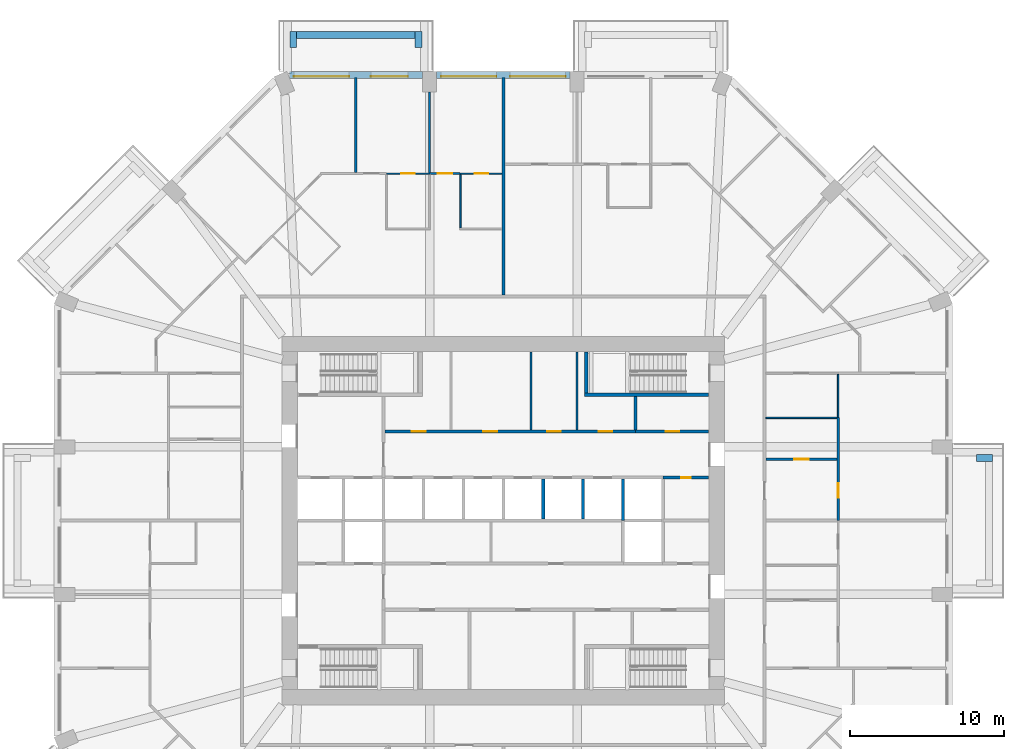
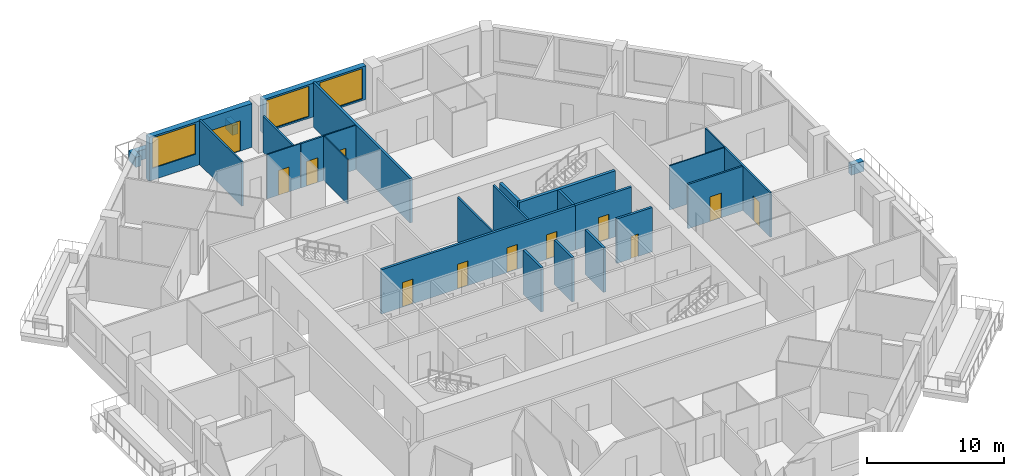
# One storey, part 9 of 13: 28 walls, 12 doors, 3 windows, 15 openings.
"""IFC4 building model written with IfcOpenShell, lengths in metres."""

import ifcopenshell
import ifcopenshell.guid

model = None  # the IFC model being written
_history = None  # IfcOwnerHistory: only IFC2X3 demands one
_inside = {}  # id of a spatial element -> (the spatial element, [elements in it])
_under = {}  # id of a project, library or spatial element -> (it, [spatial elements below it])
_declared = {}  # id of a project -> (the project, [libraries it declares])
_typed = {}  # id of a type object -> (the type object, [elements of that type])
_made_of = {}  # id of a material, layer set ... -> (it, [elements and type objects made of it])


def new_model(schema):
    """Start an empty IFC model of exactly this schema.

    Asked for "IFC4X3", IfcOpenShell would pick the latest addendum, in which some entities
    have other attributes; the version numbers below select the first issue.
    IFC2X3 requires an IfcOwnerHistory on every rooted entity: one is made here for all.
    """
    global model, _history
    if schema == "IFC4X3":
        model = ifcopenshell.file(schema_version=(4, 3, 0, 0))
    else:
        model = ifcopenshell.file(schema=schema)
    _inside.clear()
    _under.clear()
    _declared.clear()
    _typed.clear()
    _made_of.clear()
    _history = None
    if model.schema == "IFC2X3":
        org = make("IfcOrganization", Name="unknown")
        user = make(
            "IfcPersonAndOrganization",
            ThePerson=make("IfcPerson", FamilyName="unknown"),
            TheOrganization=org,
        )
        app = make(
            "IfcApplication",
            ApplicationDeveloper=org,
            Version="unknown",
            ApplicationFullName="unknown",
            ApplicationIdentifier="unknown",
        )
        _history = make(
            "IfcOwnerHistory",
            OwningUser=user,
            OwningApplication=app,
            ChangeAction="ADDED",
            CreationDate=0,
        )
    return model


def make(cls, **values):
    """One entity of the class cls with the attributes given. An attribute that is None is left unset."""
    return model.create_entity(
        cls, **{name: value for name, value in values.items() if value is not None}
    )


def rooted(cls, **values):
    """An entity with a GlobalId (a new one), such as an element, a storey or a relation."""
    return make(cls, GlobalId=ifcopenshell.guid.new(), OwnerHistory=_history, **values)


def si_unit(unit_type, name, prefix=None):
    """IfcSIUnit, for example si_unit("LENGTHUNIT", "METRE", prefix="MILLI")."""
    return make("IfcSIUnit", UnitType=unit_type, Prefix=prefix, Name=name)


def assignment(units):
    """IfcUnitAssignment: the units of a project."""
    return None if units is None else make("IfcUnitAssignment", Units=units)


def point(xyz):
    """IfcCartesianPoint."""
    return None if xyz is None else make("IfcCartesianPoint", Coordinates=xyz)


def direction(xyz):
    """IfcDirection."""
    return None if xyz is None else make("IfcDirection", DirectionRatios=xyz)


def frame(location, z_axis=None, x_axis=None):
    """IfcAxis2Placement3D, a coordinate frame: its origin and axes. An axis left out is left unset."""
    return make(
        "IfcAxis2Placement3D",
        Location=point(location),
        Axis=direction(z_axis),
        RefDirection=direction(x_axis),
    )


def frame_2d(location, x_axis=None):
    """IfcAxis2Placement2D, a coordinate frame in the plane: its origin and x axis."""
    return make(
        "IfcAxis2Placement2D", Location=point(location), RefDirection=direction(x_axis)
    )


def origin():
    """The frame at (0, 0, 0) with its axes left unset."""
    return frame((0.0, 0.0, 0.0))


def place(relative_to, where):
    """IfcLocalPlacement: puts the frame where relative to a parent placement (None: the world)."""
    return make(
        "IfcLocalPlacement", PlacementRelTo=relative_to, RelativePlacement=where
    )


def context(
    kind, dimensions, precision=None, world=None, true_north=None, identifier=None
):
    """IfcGeometricRepresentationContext, for example the 3D "Model" context."""
    return make(
        "IfcGeometricRepresentationContext",
        ContextIdentifier=identifier,
        ContextType=kind,
        CoordinateSpaceDimension=dimensions,
        Precision=precision,
        WorldCoordinateSystem=world,
        TrueNorth=true_north,
    )


def subcontext(parent, identifier, kind, view, scale=None):
    """IfcGeometricRepresentationSubContext, for example "Body" below "Model"."""
    return make(
        "IfcGeometricRepresentationSubContext",
        ContextIdentifier=identifier,
        ContextType=kind,
        ParentContext=parent,
        TargetScale=scale,
        TargetView=view,
    )


def project(units=None, contexts=None):
    """IfcProject with its units and contexts."""
    return rooted(
        "IfcProject",
        Name="project",
        RepresentationContexts=contexts,
        UnitsInContext=assignment(units),
    )


def spatial(cls, under=None, at=None, **own):
    """A site, building, storey or space (cls), placed at a placement, below another one or the project."""
    s = rooted(cls, ObjectPlacement=at, **own)
    if under is not None:
        _under.setdefault(under.id(), (under, []))[1].append(s)
    return s


def profile(cls, at=None, kind="AREA", **sizes):
    """A parametric profile (cls). Its sizes go by their IFC names, for example OverallWidth=200.0."""
    return make(cls, ProfileType=kind, Position=at, **sizes)


def rectangle(**sizes):
    """IfcRectangleProfileDef."""
    return profile("IfcRectangleProfileDef", **sizes)


def extrude(swept, where, along, depth):
    """IfcExtrudedAreaSolid: the profile swept, set in the frame where, extruded along a direction by depth."""
    return make(
        "IfcExtrudedAreaSolid",
        SweptArea=swept,
        Position=where,
        ExtrudedDirection=direction(along),
        Depth=depth,
    )


def shape(context_of_items, identifier, shape_type, items):
    """IfcShapeRepresentation: the items that make up one representation, for example the "Body"."""
    return make(
        "IfcShapeRepresentation",
        ContextOfItems=context_of_items,
        RepresentationIdentifier=identifier,
        RepresentationType=shape_type,
        Items=items,
    )


def material(Name=None, Category=None):
    """IfcMaterial."""
    return make("IfcMaterial", Name=Name, Category=Category)


def layer(
    of_material, thickness, ventilated=None, Name=None, Category=None, Priority=None
):
    """IfcMaterialLayer: one layer of a wall or slab, of a material (None: an air gap)."""
    return make(
        "IfcMaterialLayer",
        Material=of_material,
        LayerThickness=thickness,
        IsVentilated=ventilated,
        Name=Name,
        Category=Category,
        Priority=Priority,
    )


def layer_set(layers, Name=None):
    """IfcMaterialLayerSet."""
    return make("IfcMaterialLayerSet", MaterialLayers=layers, LayerSetName=Name)


def made_of(thing, what):
    """Note that an element or type object is made of a material, layer set ...; save() writes the relation."""
    if what is not None:
        _made_of.setdefault(what.id(), (what, []))[1].append(thing)
    return thing


def type_object(cls, material=None, **own):
    """A type object (cls), such as IfcWallType, which elements share."""
    return made_of(rooted(cls, **own), material)


def element(
    cls,
    number,
    at=None,
    inside=None,
    cuts=None,
    type_object=None,
    material=None,
    context=None,
    identifier="Body",
    shape_type=None,
    held_by="IfcProductDefinitionShape",
    body=None,
    shapes=None,
    **own,
):
    """One element of the class cls, such as IfcWall. Its Tag is "e" and its number.

    at: its placement. inside: the storey or other place that contains it. cuts: it is an
    opening in that element (IfcRelVoidsElement). A single representation is given by context,
    identifier, shape_type and body (its items); several are given by shapes. held_by: the class
    of the entity that holds the representations. save() writes the other relations.
    """
    e = rooted(cls, Tag="e%d" % number, ObjectPlacement=at, **own)
    if body is not None:
        shapes = [shape(context, identifier, shape_type, body)]
    if shapes is not None:
        e.Representation = make(held_by, Representations=shapes)
    if inside is not None:
        _inside.setdefault(inside.id(), (inside, []))[1].append(e)
    if cuts is not None:
        rooted(
            "IfcRelVoidsElement", RelatingBuildingElement=cuts, RelatedOpeningElement=e
        )
    if type_object is not None:
        _typed.setdefault(type_object.id(), (type_object, []))[1].append(e)
    return made_of(e, material)


def fill(opening, filler):
    """IfcRelFillsElement: the door or window that sits in an opening."""
    return rooted(
        "IfcRelFillsElement",
        RelatingOpeningElement=opening,
        RelatedBuildingElement=filler,
    )


def aggregate(whole, parts):
    """IfcRelAggregates: a whole, such as a stair, and the parts it consists of."""
    return rooted("IfcRelAggregates", RelatingObject=whole, RelatedObjects=parts)


def save(model, path):
    """Write the relations noted so far, then the file.

    IfcRelAggregates (storeys below a building ...), IfcRelContainedInSpatialStructure (elements
    in a storey), IfcRelDefinesByType, IfcRelAssociatesMaterial and IfcRelDeclares: one each for
    every whole, place, type object, material and project.
    """
    for whole, parts in _under.values():
        aggregate(whole, parts)
    for where, things in _inside.values():
        rooted(
            "IfcRelContainedInSpatialStructure",
            RelatedElements=things,
            RelatingStructure=where,
        )
    for kind, things in _typed.values():
        rooted("IfcRelDefinesByType", RelatedObjects=things, RelatingType=kind)
    for what, things in _made_of.values():
        rooted("IfcRelAssociatesMaterial", RelatedObjects=things, RelatingMaterial=what)
    for by, libraries in _declared.values():
        rooted("IfcRelDeclares", RelatingContext=by, RelatedDefinitions=libraries)
    model.write(path)


model = new_model("IFC4")

# Units and contexts
model_context = context("Model", 3, precision=1e-05, world=origin(), true_north=direction((0.0, 1.0)))
body_context = subcontext(model_context, "Body", "Model", "MODEL_VIEW")
ifc_project = project(units=[si_unit("LENGTHUNIT", "METRE"), si_unit("AREAUNIT", "SQUARE_METRE"), si_unit("VOLUMEUNIT", "CUBIC_METRE"), si_unit("PLANEANGLEUNIT", "RADIAN"), si_unit("MASSUNIT", "GRAM", prefix="KILO")], contexts=[model_context])

# Site, building, storey
site_placement = place(None, origin())
site = spatial("IfcSite", under=ifc_project, at=site_placement, CompositionType="ELEMENT")
building_placement = place(site_placement, origin())
building = spatial("IfcBuilding", under=site, at=building_placement, Name="Msitu Wima Residences", CompositionType="ELEMENT")
storey_placement = place(building_placement, frame((0.0, 0.0, 46.5)))
storey = spatial("IfcBuildingStorey", under=building, at=storey_placement, Name="L10", CompositionType="ELEMENT", Elevation=46.5)

# Walls
ifc_material_1 = material(Name="Facing brick")
ifc_layer_1 = layer(ifc_material_1, 0.06494140625, Name="Facing brick")
ifc_material_2 = material(Name="Concrete C40/50", Category="concrete")
ifc_layer_2 = layer(ifc_material_2, 0.156005859375, Name="Concrete C40/50")
ifc_material_3 = material(Name="Waterproofing membrane")
ifc_layer_3 = layer(ifc_material_3, 0.00390625, Name="Waterproofing membrane")
ifc_material_4 = material(Name="Planting soil and planting")
ifc_layer_4 = layer(ifc_material_4, 0.22509765625, Name="Planting soil and planting")
ifc_layer_set_1 = layer_set([ifc_layer_1, ifc_layer_2, ifc_layer_3, ifc_layer_4], Name="Concrete C40/50")
wall_type_1 = type_object("IfcWallType", Name="Balcony planter PLANTER PL450", PredefinedType="USERDEFINED", material=ifc_layer_set_1)
wall_1_placement = place(storey_placement, frame((30.800048828125, 4.074951171875, 0.0), z_axis=(0.0, 0.0, 1.0), x_axis=(1.0, 0.0, 0.0)))
element("IfcWall", 1, at=wall_1_placement, inside=storey, type_object=wall_type_1, Name="Balcony planter E1 L10", ObjectType="PLANTER", PredefinedType="USERDEFINED", context=body_context, shape_type="SweptSolid", body=[
    extrude(rectangle(XDim=1.050048828125, YDim=0.449951171875, at=frame_2d((0.52490234375, 0.0))), origin(), (0.0, 0.0, 1.0), 0.89990234375),
])
wall_2_placement = place(storey_placement, frame((-5.75, 31.625, 0.0), z_axis=(0.0, 0.0, 1.0), x_axis=(-1.0, 0.0, 0.0)))
element("IfcWall", 2, at=wall_2_placement, inside=storey, type_object=wall_type_1, Name="Balcony planter N2 L10", ObjectType="PLANTER", PredefinedType="USERDEFINED", context=body_context, shape_type="SweptSolid", body=[
    extrude(rectangle(XDim=7.699951171875, YDim=0.449951171875, at=frame_2d((3.85009765625, 0.0))), origin(), (0.0, 0.0, 1.0), 0.89990234375),
])
for number, where, z_axis, x_axis, name in (
    (3, (-5.52490234375, 30.800048828125, 0.0), (0.0, 0.0, 1.0), (0.0, 1.0, 0.0), "Balcony planter N2 L10"),
    (4, (-13.675048828125, 30.800048828125, 0.0), (0.0, 0.0, 1.0), (0.0, 1.0, 0.0), "Balcony planter N2 L10"),
):
    element("IfcWall", number, at=place(storey_placement, frame(where, z_axis=z_axis, x_axis=x_axis)), inside=storey, type_object=wall_type_1, Name=name, ObjectType="PLANTER", PredefinedType="USERDEFINED", context=body_context, shape_type="SweptSolid", body=[
        extrude(rectangle(XDim=1.050048828125, YDim=0.449951171875, at=frame_2d((0.52490234375, 0.0))), origin(), (0.0, 0.0, 1.0), 0.89990234375),
    ])

# Wall, openings, windows
ifc_material_5 = material(Name="Brick (red buff mix)", Category="masonry")
ifc_layer_5 = layer(ifc_material_5, 0.449951171875)
ifc_layer_set_2 = layer_set([ifc_layer_5], Name="Brick (red buff mix)")
wall_type_2 = type_object("IfcWallType", Name="Brick infill wall BW450", PredefinedType="SOLIDWALL", material=ifc_layer_set_2)
wall_3_placement = place(storey_placement, frame((4.35009765625, 29.02490234375, 0.89990234375), z_axis=(0.0, 0.0, 1.0), x_axis=(-1.0, 0.0, 0.0)))
wall_3 = element("IfcWall", 5, at=wall_3_placement, inside=storey, type_object=wall_type_2, Name="Brick infill wall L10 N1", PredefinedType="SOLIDWALL", context=body_context, shape_type="SweptSolid", body=[
    extrude(rectangle(XDim=8.7001953125, YDim=0.449951171875, at=frame_2d((4.35009765625, 0.0))), origin(), (0.0, 0.0, 1.0), 3.0),
])
opening_1_placement = place(wall_3_placement, frame((0.300048828125, 0.0, 0.14990234375)))
opening_1 = element("IfcOpeningElement", 6, at=opening_1_placement, cuts=wall_3, Name="Opening W08-10.007", PredefinedType="OPENING", context=body_context, shape_type="SweptSolid", body=[
    extrude(rectangle(XDim=3.60009765625, YDim=2.699951171875, at=frame_2d((1.800048828125, 1.35009765625))), frame((0.0, 0.23486328125, 0.0), z_axis=(0.0, -1.0, 0.0), x_axis=(1.0, 0.0, 0.0)), (0.0, 0.0, 1.0), 0.469970703125),
])
opening_2_placement = place(wall_3_placement, frame((4.800048828125, 0.0, 0.14990234375)))
opening_2 = element("IfcOpeningElement", 7, at=opening_2_placement, cuts=wall_3, Name="Opening W08-10.008", PredefinedType="OPENING", context=body_context, shape_type="SweptSolid", body=[
    extrude(rectangle(XDim=3.60009765625, YDim=2.699951171875, at=frame_2d((1.800048828125, 1.35009765625))), frame((0.0, 0.23486328125, 0.0), z_axis=(0.0, -1.0, 0.0), x_axis=(1.0, 0.0, 0.0)), (0.0, 0.0, 1.0), 0.469970703125),
])
ifc_material_6 = material(Name="Anodised aluminium, bronze finish, clear low-emissivity double glazing", Category="aluminium")
window_type = type_object("IfcWindowType", Name="Window W3600x2700", PartitioningType="DOUBLE_PANEL_VERTICAL", PredefinedType="WINDOW", material=ifc_material_6)
window_1_placement = place(opening_1_placement, origin())
window_1 = element("IfcWindow", 8, at=window_1_placement, inside=storey, type_object=window_type, Name="Window L10 N1.1", OverallHeight=2.699951171875, OverallWidth=3.60009765625, PartitioningType="SINGLE_PANEL", PredefinedType="WINDOW", context=body_context, shape_type="SweptSolid", body=[
    extrude(rectangle(XDim=3.60009765625, YDim=2.699951171875, at=frame_2d((1.800048828125, 1.35009765625))), frame((0.0, 0.135009765625, 0.0), z_axis=(0.0, -1.0, 0.0), x_axis=(1.0, 0.0, 0.0)), (0.0, 0.0, 1.0), 0.06005859375),
])
fill(opening_1, window_1)
window_2_placement = place(opening_2_placement, origin())
window_2 = element("IfcWindow", 9, at=window_2_placement, inside=storey, type_object=window_type, Name="Window L10 N1.2", OverallHeight=2.699951171875, OverallWidth=3.60009765625, PartitioningType="SINGLE_PANEL", PredefinedType="WINDOW", context=body_context, shape_type="SweptSolid", body=[
    extrude(rectangle(XDim=3.60009765625, YDim=2.699951171875, at=frame_2d((1.800048828125, 1.35009765625))), frame((0.0, 0.135009765625, 0.0), z_axis=(0.0, -1.0, 0.0), x_axis=(1.0, 0.0, 0.0)), (0.0, 0.0, 1.0), 0.06005859375),
])
fill(opening_2, window_2)

# Wall, openings, door, window
wall_4_placement = place(storey_placement, frame((-5.25, 29.02490234375, 0.0), z_axis=(0.0, 0.0, 1.0), x_axis=(-1.0, 0.0, 0.0)))
wall_4 = element("IfcWall", 10, at=wall_4_placement, inside=storey, type_object=wall_type_2, Name="Brick infill wall L10 N2", PredefinedType="SOLIDWALL", context=body_context, shape_type="SweptSolid", body=[
    extrude(rectangle(XDim=8.662841796875, YDim=0.449951171875, at=frame_2d((4.33154296875, 0.0))), origin(), (0.0, 0.0, 1.0), 3.89990234375),
])
opening_3_placement = place(wall_4_placement, frame((0.9658203125, 0.0, 0.0)))
opening_3 = element("IfcOpeningElement", 11, at=opening_3_placement, cuts=wall_4, Name="Opening D08-10.003", PredefinedType="OPENING", context=body_context, shape_type="SweptSolid", body=[
    extrude(rectangle(XDim=2.39990234375, YDim=2.699951171875, at=frame_2d((1.199951171875, 1.35009765625))), frame((0.0, 0.23486328125, 0.0), z_axis=(0.0, -1.0, 0.0), x_axis=(1.0, 0.0, 0.0)), (0.0, 0.0, 1.0), 0.469970703125),
])
opening_4_placement = place(wall_4_placement, frame((4.781494140625, 0.0, 1.050048828125)))
opening_4 = element("IfcOpeningElement", 12, at=opening_4_placement, cuts=wall_4, Name="Opening W08-10.009", PredefinedType="OPENING", context=body_context, shape_type="SweptSolid", body=[
    extrude(rectangle(XDim=3.60009765625, YDim=2.699951171875, at=frame_2d((1.800048828125, 1.35009765625))), frame((0.0, 0.23486328125, 0.0), z_axis=(0.0, -1.0, 0.0), x_axis=(1.0, 0.0, 0.0)), (0.0, 0.0, 1.0), 0.469970703125),
])
door_type_1 = type_object("IfcDoorType", Name="Balcony door D2400x2700", OperationType="SLIDING_TO_LEFT", PredefinedType="DOOR", material=ifc_material_6)
door_1_placement = place(opening_3_placement, origin())
door_1 = element("IfcDoor", 13, at=door_1_placement, inside=storey, type_object=door_type_1, Name="Balcony door L10 N2", OperationType="SINGLE_SWING_LEFT", OverallHeight=2.699951171875, OverallWidth=2.39990234375, PredefinedType="DOOR", context=body_context, shape_type="SweptSolid", body=[
    extrude(rectangle(XDim=2.39990234375, YDim=2.699951171875, at=frame_2d((1.199951171875, 1.35009765625))), frame((0.0, 0.1298828125, 0.0), z_axis=(0.0, -1.0, 0.0), x_axis=(1.0, 0.0, 0.0)), (0.0, 0.0, 1.0), 0.050048828125),
])
fill(opening_3, door_1)
window_3_placement = place(opening_4_placement, origin())
window_3 = element("IfcWindow", 14, at=window_3_placement, inside=storey, type_object=window_type, Name="Window L10 N2.2", OverallHeight=2.699951171875, OverallWidth=3.60009765625, PartitioningType="SINGLE_PANEL", PredefinedType="WINDOW", context=body_context, shape_type="SweptSolid", body=[
    extrude(rectangle(XDim=3.60009765625, YDim=2.699951171875, at=frame_2d((1.800048828125, 1.35009765625))), frame((0.0, 0.135009765625, 0.0), z_axis=(0.0, -1.0, 0.0), x_axis=(1.0, 0.0, 0.0)), (0.0, 0.0, 1.0), 0.06005859375),
])
fill(opening_4, window_3)

# Wall, openings, doors
ifc_material_7 = material(Name="Plaster")
ifc_layer_6 = layer(ifc_material_7, 0.011962890625, Name="Plaster")
ifc_material_8 = material(Name="Concrete blockwork", Category="masonry")
ifc_layer_7 = layer(ifc_material_8, 0.176025390625, Name="Concrete blockwork")
ifc_layer_8 = layer(ifc_material_7, 0.011962890625, Name="Plaster")
ifc_layer_set_3 = layer_set([ifc_layer_6, ifc_layer_7, ifc_layer_8], Name="Concrete blockwork")
wall_type_3 = type_object("IfcWallType", Name="Corridor wall FW200", PredefinedType="PARTITIONING", material=ifc_layer_set_3)
wall_5_placement = place(storey_placement, frame((-7.699951171875, 5.800048828125, 0.0), z_axis=(0.0, 0.0, 1.0), x_axis=(1.0, 0.0, 0.0)))
wall_5 = element("IfcWall", 15, at=wall_5_placement, inside=storey, type_object=wall_type_3, Name="Corridor wall", PredefinedType="PARTITIONING", context=body_context, shape_type="SweptSolid", body=[
    extrude(rectangle(XDim=16.320068359375, YDim=0.199951171875, at=frame_2d((8.16015625, 0.0))), origin(), (0.0, 0.0, 1.0), 3.949951171875),
])
opening_5_placement = place(wall_5_placement, frame((1.75, 0.0, 0.0)))
opening_5 = element("IfcOpeningElement", 16, at=opening_5_placement, cuts=wall_5, Name="Opening D08-10.020", PredefinedType="OPENING", context=body_context, shape_type="SweptSolid", body=[
    extrude(rectangle(XDim=0.89990234375, YDim=2.199951171875, at=frame_2d((0.449951171875, 1.10009765625))), frame((0.0, 0.10986328125, 0.0), z_axis=(0.0, -1.0, 0.0), x_axis=(1.0, 0.0, 0.0)), (0.0, 0.0, 1.0), 0.219970703125),
])
opening_6_placement = place(wall_5_placement, frame((6.39990234375, 0.0, 0.0)))
opening_6 = element("IfcOpeningElement", 17, at=opening_6_placement, cuts=wall_5, Name="Opening D08-10.021", PredefinedType="OPENING", context=body_context, shape_type="SweptSolid", body=[
    extrude(rectangle(XDim=0.89990234375, YDim=2.199951171875, at=frame_2d((0.449951171875, 1.10009765625))), frame((0.0, 0.10986328125, 0.0), z_axis=(0.0, -1.0, 0.0), x_axis=(1.0, 0.0, 0.0)), (0.0, 0.0, 1.0), 0.219970703125),
])
opening_7_placement = place(wall_5_placement, frame((10.550048828125, 0.0, 0.0)))
opening_7 = element("IfcOpeningElement", 18, at=opening_7_placement, cuts=wall_5, Name="Opening D08-10.022", PredefinedType="OPENING", context=body_context, shape_type="SweptSolid", body=[
    extrude(rectangle(XDim=0.89990234375, YDim=2.199951171875, at=frame_2d((0.449951171875, 1.10009765625))), frame((0.0, 0.10986328125, 0.0), z_axis=(0.0, -1.0, 0.0), x_axis=(1.0, 0.0, 0.0)), (0.0, 0.0, 1.0), 0.219970703125),
])
opening_8_placement = place(wall_5_placement, frame((13.89990234375, 0.0, 0.0)))
opening_8 = element("IfcOpeningElement", 19, at=opening_8_placement, cuts=wall_5, Name="Opening D08-10.023", PredefinedType="OPENING", context=body_context, shape_type="SweptSolid", body=[
    extrude(rectangle(XDim=0.89990234375, YDim=2.199951171875, at=frame_2d((0.449951171875, 1.10009765625))), frame((0.0, 0.10986328125, 0.0), z_axis=(0.0, -1.0, 0.0), x_axis=(1.0, 0.0, 0.0)), (0.0, 0.0, 1.0), 0.219970703125),
])
ifc_material_9 = material(Name="Timber flush door", Category="wood")
door_type_2 = type_object("IfcDoorType", Name="Service door D05 900x2200", OperationType="SINGLE_SWING_LEFT", PredefinedType="DOOR", material=ifc_material_9)
door_2_placement = place(opening_5_placement, origin())
door_2 = element("IfcDoor", 20, at=door_2_placement, inside=storey, type_object=door_type_2, Name="Service door", OperationType="SINGLE_SWING_RIGHT", OverallHeight=2.199951171875, OverallWidth=0.89990234375, PredefinedType="DOOR", context=body_context, shape_type="SweptSolid", body=[
    extrude(rectangle(XDim=0.89990234375, YDim=2.199951171875, at=frame_2d((0.449951171875, 1.10009765625))), frame((0.0, 0.02490234375, 0.0), z_axis=(0.0, -1.0, 0.0), x_axis=(1.0, 0.0, 0.0)), (0.0, 0.0, 1.0), 0.050048828125),
])
fill(opening_5, door_2)
door_3_placement = place(opening_6_placement, origin())
door_3 = element("IfcDoor", 21, at=door_3_placement, inside=storey, type_object=door_type_2, Name="Service door", OperationType="SINGLE_SWING_LEFT", OverallHeight=2.199951171875, OverallWidth=0.89990234375, PredefinedType="DOOR", context=body_context, shape_type="SweptSolid", body=[
    extrude(rectangle(XDim=0.89990234375, YDim=2.199951171875, at=frame_2d((0.449951171875, 1.10009765625))), frame((0.0, 0.02490234375, 0.0), z_axis=(0.0, -1.0, 0.0), x_axis=(1.0, 0.0, 0.0)), (0.0, 0.0, 1.0), 0.050048828125),
])
fill(opening_6, door_3)
door_4_placement = place(opening_7_placement, origin())
door_4 = element("IfcDoor", 22, at=door_4_placement, inside=storey, type_object=door_type_2, Name="Service door", OperationType="SINGLE_SWING_RIGHT", OverallHeight=2.199951171875, OverallWidth=0.89990234375, PredefinedType="DOOR", context=body_context, shape_type="SweptSolid", body=[
    extrude(rectangle(XDim=0.89990234375, YDim=2.199951171875, at=frame_2d((0.449951171875, 1.10009765625))), frame((0.0, 0.02490234375, 0.0), z_axis=(0.0, -1.0, 0.0), x_axis=(1.0, 0.0, 0.0)), (0.0, 0.0, 1.0), 0.050048828125),
])
fill(opening_7, door_4)
door_5_placement = place(opening_8_placement, origin())
door_5 = element("IfcDoor", 23, at=door_5_placement, inside=storey, type_object=door_type_2, Name="Service door", OperationType="SINGLE_SWING_LEFT", OverallHeight=2.199951171875, OverallWidth=0.89990234375, PredefinedType="DOOR", context=body_context, shape_type="SweptSolid", body=[
    extrude(rectangle(XDim=0.89990234375, YDim=2.199951171875, at=frame_2d((0.449951171875, 1.10009765625))), frame((0.0, 0.02490234375, 0.0), z_axis=(0.0, -1.0, 0.0), x_axis=(1.0, 0.0, 0.0)), (0.0, 0.0, 1.0), 0.050048828125),
])
fill(opening_8, door_5)

# Walls
ifc_layer_9 = layer(ifc_material_7, 0.011962890625, Name="Plaster")
ifc_layer_10 = layer(ifc_material_8, 0.1259765625, Name="Concrete blockwork")
ifc_layer_11 = layer(ifc_material_7, 0.011962890625, Name="Plaster")
ifc_layer_set_4 = layer_set([ifc_layer_9, ifc_layer_10, ifc_layer_11], Name="Concrete blockwork")
wall_type_4 = type_object("IfcWallType", Name="Partition PW150", PredefinedType="PARTITIONING", material=ifc_layer_set_4)
wall_6_placement = place(storey_placement, frame((-9.60009765625, 22.675048828125, 0.0), z_axis=(0.0, 0.0, 1.0), x_axis=(0.0, 1.0, 0.0)))
element("IfcWall", 24, at=wall_6_placement, inside=storey, type_object=wall_type_4, Name="Partition", PredefinedType="PARTITIONING", context=body_context, shape_type="SweptSolid", body=[
    extrude(rectangle(XDim=6.179931640625, YDim=0.14990234375, at=frame_2d((3.08984375, 0.0))), origin(), (0.0, 0.0, 1.0), 3.949951171875),
])
wall_7_placement = place(storey_placement, frame((-4.800048828125, 22.580078125, 0.0), z_axis=(0.0, 0.0, 1.0), x_axis=(0.0, 1.0, 0.0)))
element("IfcWall", 25, at=wall_7_placement, inside=storey, type_object=wall_type_4, Name="Partition", PredefinedType="PARTITIONING", context=body_context, shape_type="SweptSolid", body=[
    extrude(rectangle(XDim=5.31982421875, YDim=0.14990234375, at=frame_2d((2.659912109375, 0.0))), origin(), (0.0, 0.0, 1.0), 3.199951171875),
])

# Wall, opening, door
wall_8_placement = place(storey_placement, frame((-4.780029296875, 22.60009765625, 0.0), z_axis=(0.0, 0.0, 1.0), x_axis=(1.0, 0.0, 0.0)))
wall_8 = element("IfcWall", 26, at=wall_8_placement, inside=storey, type_object=wall_type_4, Name="Partition", PredefinedType="PARTITIONING", context=body_context, shape_type="SweptSolid", body=[
    extrude(rectangle(XDim=1.9599609375, YDim=0.14990234375, at=frame_2d((0.97998046875, 0.0))), origin(), (0.0, 0.0, 1.0), 3.949951171875),
])
opening_9_placement = place(wall_8_placement, frame((0.5, 0.0, 0.0)))
opening_9 = element("IfcOpeningElement", 27, at=opening_9_placement, cuts=wall_8, Name="Opening D08-10.051", PredefinedType="OPENING", context=body_context, shape_type="SweptSolid", body=[
    extrude(rectangle(XDim=0.949951171875, YDim=2.199951171875, at=frame_2d((0.47509765625, 1.10009765625))), frame((0.0, 0.0849609375, 0.0), z_axis=(0.0, -1.0, 0.0), x_axis=(1.0, 0.0, 0.0)), (0.0, 0.0, 1.0), 0.169921875),
])
door_type_3 = type_object("IfcDoorType", Name="Room door D12 950x2200", OperationType="SINGLE_SWING_LEFT", PredefinedType="DOOR", material=ifc_material_9)
door_6_placement = place(opening_9_placement, origin())
door_6 = element("IfcDoor", 28, at=door_6_placement, inside=storey, type_object=door_type_3, Name="Room door", OperationType="SINGLE_SWING_LEFT", OverallHeight=2.199951171875, OverallWidth=0.949951171875, PredefinedType="DOOR", context=body_context, shape_type="SweptSolid", body=[
    extrude(rectangle(XDim=0.949951171875, YDim=2.199951171875, at=frame_2d((0.47509765625, 1.10009765625))), frame((0.0, 0.02490234375, 0.0), z_axis=(0.0, -1.0, 0.0), x_axis=(1.0, 0.0, 0.0)), (0.0, 0.0, 1.0), 0.050048828125),
])
fill(opening_9, door_6)

# Walls
for number, where, z_axis, x_axis, name in (
    (29, (1.800048828125, 5.89990234375, 0.0), (0.0, 0.0, 1.0), (0.0, 1.0, 0.0), "Partition"),
    (30, (4.800048828125, 5.89990234375, 0.0), (0.0, 0.0, 1.0), (0.0, 1.0, 0.0), "Partition"),
):
    element("IfcWall", number, at=place(storey_placement, frame(where, z_axis=z_axis, x_axis=x_axis)), inside=storey, type_object=wall_type_4, Name=name, PredefinedType="PARTITIONING", context=body_context, shape_type="SweptSolid", body=[
        extrude(rectangle(XDim=5.070068359375, YDim=0.14990234375, at=frame_2d((2.53515625, 0.0))), origin(), (0.0, 0.0, 1.0), 3.949951171875),
    ])

# Wall, opening, door
wall_9_placement = place(storey_placement, frame((17.10009765625, 4.0, 0.0), z_axis=(0.0, 0.0, 1.0), x_axis=(1.0, 0.0, 0.0)))
wall_9 = element("IfcWall", 31, at=wall_9_placement, inside=storey, type_object=wall_type_4, Name="Partition", PredefinedType="PARTITIONING", context=body_context, shape_type="SweptSolid", body=[
    extrude(rectangle(XDim=4.625, YDim=0.14990234375, at=frame_2d((2.3125, 0.0))), origin(), (0.0, 0.0, 1.0), 3.949951171875),
])
opening_10_placement = place(wall_9_placement, frame((1.85009765625, 0.0, 0.0)))
opening_10 = element("IfcOpeningElement", 32, at=opening_10_placement, cuts=wall_9, Name="Opening D08-10.063", PredefinedType="OPENING", context=body_context, shape_type="SweptSolid", body=[
    extrude(rectangle(XDim=0.949951171875, YDim=2.199951171875, at=frame_2d((0.47509765625, 1.10009765625))), frame((0.0, 0.0849609375, 0.0), z_axis=(0.0, -1.0, 0.0), x_axis=(1.0, 0.0, 0.0)), (0.0, 0.0, 1.0), 0.169921875),
])
door_7_placement = place(opening_10_placement, origin())
door_7 = element("IfcDoor", 33, at=door_7_placement, inside=storey, type_object=door_type_3, Name="Room door", OperationType="SINGLE_SWING_RIGHT", OverallHeight=2.199951171875, OverallWidth=0.949951171875, PredefinedType="DOOR", context=body_context, shape_type="SweptSolid", body=[
    extrude(rectangle(XDim=0.949951171875, YDim=2.199951171875, at=frame_2d((0.47509765625, 1.10009765625))), frame((0.0, 0.02490234375, 0.0), z_axis=(0.0, -1.0, 0.0), x_axis=(1.0, 0.0, 0.0)), (0.0, 0.0, 1.0), 0.050048828125),
])
fill(opening_10, door_7)

wall_10_placement = place(storey_placement, frame((21.800048828125, 0.0, 0.0), z_axis=(0.0, 0.0, 1.0), x_axis=(0.0, 1.0, 0.0)))
wall_10 = element("IfcWall", 34, at=wall_10_placement, inside=storey, type_object=wall_type_4, Name="Partition", PredefinedType="PARTITIONING", context=body_context, shape_type="SweptSolid", body=[
    extrude(rectangle(XDim=6.719970703125, YDim=0.14990234375, at=frame_2d((3.35986328125, 0.0))), origin(), (0.0, 0.0, 1.0), 3.949951171875),
])
opening_11_placement = place(wall_10_placement, frame((1.5, 0.0, 0.0)))
opening_11 = element("IfcOpeningElement", 35, at=opening_11_placement, cuts=wall_10, Name="Opening D08-10.041", PredefinedType="OPENING", context=body_context, shape_type="SweptSolid", body=[
    extrude(rectangle(XDim=0.949951171875, YDim=2.199951171875, at=frame_2d((0.47509765625, 1.10009765625))), frame((0.0, 0.0849609375, 0.0), z_axis=(0.0, -1.0, 0.0), x_axis=(1.0, 0.0, 0.0)), (0.0, 0.0, 1.0), 0.169921875),
])
door_8_placement = place(opening_11_placement, origin())
door_8 = element("IfcDoor", 36, at=door_8_placement, inside=storey, type_object=door_type_3, Name="Room door", OperationType="SINGLE_SWING_RIGHT", OverallHeight=2.199951171875, OverallWidth=0.949951171875, PredefinedType="DOOR", context=body_context, shape_type="SweptSolid", body=[
    extrude(rectangle(XDim=0.949951171875, YDim=2.199951171875, at=frame_2d((0.47509765625, 1.10009765625))), frame((0.0, 0.02490234375, 0.0), z_axis=(0.0, -1.0, 0.0), x_axis=(1.0, 0.0, 0.0)), (0.0, 0.0, 1.0), 0.050048828125),
])
fill(opening_11, door_8)

# Wall
ifc_layer_12 = layer(ifc_material_7, 0.011962890625, Name="Plaster")
ifc_material_10 = material(Name="Dense concrete blockwork", Category="masonry")
ifc_layer_13 = layer(ifc_material_10, 0.176025390625, Name="Dense concrete blockwork")
ifc_layer_14 = layer(ifc_material_7, 0.011962890625, Name="Plaster")
ifc_layer_set_5 = layer_set([ifc_layer_12, ifc_layer_13, ifc_layer_14], Name="Dense concrete blockwork")
wall_type_5 = type_object("IfcWallType", Name="Party wall PW200", PredefinedType="PARTITIONING", material=ifc_layer_set_5)
wall_11_placement = place(storey_placement, frame((0.0, 14.699951171875, 0.0), z_axis=(0.0, 0.0, 1.0), x_axis=(0.0, 1.0, 0.0)))
element("IfcWall", 37, at=wall_11_placement, inside=storey, type_object=wall_type_5, Name="Party wall", PredefinedType="PARTITIONING", context=body_context, shape_type="SweptSolid", body=[
    extrude(rectangle(XDim=14.155029296875, YDim=0.199951171875, at=frame_2d((7.07763671875, 0.0))), origin(), (0.0, 0.0, 1.0), 3.949951171875),
])

# Wall, opening, door
ifc_layer_15 = layer(ifc_material_7, 0.011962890625, Name="Plaster")
ifc_material_11 = material(Name="Reinforced concrete blockwork", Category="masonry")
ifc_layer_16 = layer(ifc_material_11, 0.176025390625, Name="Reinforced concrete blockwork")
ifc_layer_17 = layer(ifc_material_7, 0.011962890625, Name="Plaster")
ifc_layer_set_6 = layer_set([ifc_layer_15, ifc_layer_16, ifc_layer_17], Name="Reinforced concrete blockwork")
wall_type_6 = type_object("IfcWallType", Name="Plant and riser wall PL200", PredefinedType="PARTITIONING", material=ifc_layer_set_6)
wall_12_placement = place(storey_placement, frame((8.6201171875, 5.800048828125, 0.0), z_axis=(0.0, 0.0, 1.0), x_axis=(1.0, 0.0, 0.0)))
wall_12 = element("IfcWall", 38, at=wall_12_placement, inside=storey, type_object=wall_type_6, Name="Plant and riser wall", PredefinedType="PARTITIONING", context=body_context, shape_type="SweptSolid", body=[
    extrude(rectangle(XDim=4.75, YDim=0.199951171875, at=frame_2d((2.375, 0.0))), origin(), (0.0, 0.0, 1.0), 3.949951171875),
])
opening_12_placement = place(wall_12_placement, frame((1.949951171875, 0.0, 0.0)))
opening_12 = element("IfcOpeningElement", 39, at=opening_12_placement, cuts=wall_12, Name="Opening D08-10.024", PredefinedType="OPENING", context=body_context, shape_type="SweptSolid", body=[
    extrude(rectangle(XDim=0.89990234375, YDim=2.199951171875, at=frame_2d((0.449951171875, 1.10009765625))), frame((0.0, 0.10986328125, 0.0), z_axis=(0.0, -1.0, 0.0), x_axis=(1.0, 0.0, 0.0)), (0.0, 0.0, 1.0), 0.219970703125),
])
door_9_placement = place(opening_12_placement, origin())
door_9 = element("IfcDoor", 40, at=door_9_placement, inside=storey, type_object=door_type_2, Name="Service door", OperationType="SINGLE_SWING_LEFT", OverallHeight=2.199951171875, OverallWidth=0.89990234375, PredefinedType="DOOR", context=body_context, shape_type="SweptSolid", body=[
    extrude(rectangle(XDim=0.89990234375, YDim=2.199951171875, at=frame_2d((0.449951171875, 1.10009765625))), frame((0.0, 0.02490234375, 0.0), z_axis=(0.0, -1.0, 0.0), x_axis=(1.0, 0.0, 0.0)), (0.0, 0.0, 1.0), 0.050048828125),
])
fill(opening_12, door_9)

# Wall
wall_13_placement = place(storey_placement, frame((8.60009765625, 5.89990234375, 0.0), z_axis=(0.0, 0.0, 1.0), x_axis=(0.0, 1.0, 0.0)))
element("IfcWall", 41, at=wall_13_placement, inside=storey, type_object=wall_type_6, Name="Plant and riser wall", PredefinedType="PARTITIONING", context=body_context, shape_type="SweptSolid", body=[
    extrude(rectangle(XDim=2.175048828125, YDim=0.199951171875, at=frame_2d((1.08740234375, 0.0))), origin(), (0.0, 0.0, 1.0), 3.949951171875),
])

# Wall, opening, door
wall_14_placement = place(storey_placement, frame((10.39990234375, 2.800048828125, 0.0), z_axis=(0.0, 0.0, 1.0), x_axis=(1.0, 0.0, 0.0)))
wall_14 = element("IfcWall", 42, at=wall_14_placement, inside=storey, type_object=wall_type_6, Name="Plant and riser wall", PredefinedType="PARTITIONING", context=body_context, shape_type="SweptSolid", body=[
    extrude(rectangle(XDim=2.97021484375, YDim=0.199951171875, at=frame_2d((1.485107421875, 0.0))), origin(), (0.0, 0.0, 1.0), 3.949951171875),
])
opening_13_placement = place(wall_14_placement, frame((1.199951171875, 0.0, 0.0)))
opening_13 = element("IfcOpeningElement", 43, at=opening_13_placement, cuts=wall_14, Name="Opening D08-10.031", PredefinedType="OPENING", context=body_context, shape_type="SweptSolid", body=[
    extrude(rectangle(XDim=0.60009765625, YDim=2.0, at=frame_2d((0.300048828125, 1.0))), frame((0.0, 0.10986328125, 0.0), z_axis=(0.0, -1.0, 0.0), x_axis=(1.0, 0.0, 0.0)), (0.0, 0.0, 1.0), 0.219970703125),
])
ifc_material_12 = material(Name="Steel access door, fire resisting", Category="steel")
door_type_4 = type_object("IfcDoorType", Name="Riser access door D08 600x2000", OperationType="SINGLE_SWING_LEFT", PredefinedType="DOOR", material=ifc_material_12)
door_10_placement = place(opening_13_placement, origin())
door_10 = element("IfcDoor", 44, at=door_10_placement, inside=storey, type_object=door_type_4, Name="Riser access door", OperationType="SINGLE_SWING_RIGHT", OverallHeight=2.0, OverallWidth=0.60009765625, PredefinedType="DOOR", context=body_context, shape_type="SweptSolid", body=[
    extrude(rectangle(XDim=0.60009765625, YDim=2.0, at=frame_2d((0.300048828125, 1.0))), frame((0.0, 0.02490234375, 0.0), z_axis=(0.0, -1.0, 0.0), x_axis=(1.0, 0.0, 0.0)), (0.0, 0.0, 1.0), 0.050048828125),
])
fill(opening_13, door_10)

# Walls
ifc_material_13 = material(Name="Fire-rated board")
ifc_layer_18 = layer(ifc_material_13, 0.02490234375, Name="Fire-rated board")
ifc_material_14 = material(Name="Light-gauge stud framing with mineral wool")
ifc_layer_19 = layer(ifc_material_14, 0.14990234375, Name="Light-gauge stud framing with mineral wool")
ifc_layer_20 = layer(ifc_material_13, 0.02490234375, Name="Fire-rated board")
ifc_layer_set_7 = layer_set([ifc_layer_18, ifc_layer_19, ifc_layer_20], Name="Light-gauge stud framing with mineral wool")
wall_type_7 = type_object("IfcWallType", Name="Shaft wall SH200", PredefinedType="PARTITIONING", material=ifc_layer_set_7)
for number, where, z_axis, x_axis, name in (
    (45, (2.60009765625, 0.10009765625, 0.0), (0.0, 0.0, 1.0), (0.0, 1.0, 0.0), "Shaft wall"),
    (46, (5.199951171875, 0.10009765625, 0.0), (0.0, 0.0, 1.0), (0.0, 1.0, 0.0), "Shaft wall"),
):
    element("IfcWall", number, at=place(storey_placement, frame(where, z_axis=z_axis, x_axis=x_axis)), inside=storey, type_object=wall_type_7, Name=name, PredefinedType="PARTITIONING", context=body_context, shape_type="SweptSolid", body=[
        extrude(rectangle(XDim=2.599853515625, YDim=0.199951171875, at=frame_2d((1.2998046875, 0.0))), origin(), (0.0, 0.0, 1.0), 3.949951171875),
    ])
wall_15_placement = place(storey_placement, frame((7.800048828125, 0.0, 0.0), z_axis=(0.0, 0.0, 1.0), x_axis=(0.0, 1.0, 0.0)))
element("IfcWall", 47, at=wall_15_placement, inside=storey, type_object=wall_type_7, Name="Shaft wall", PredefinedType="PARTITIONING", context=body_context, shape_type="SweptSolid", body=[
    extrude(rectangle(XDim=2.699951171875, YDim=0.199951171875, at=frame_2d((1.35009765625, 0.0))), origin(), (0.0, 0.0, 1.0), 3.949951171875),
])
ifc_material_15 = material(Name="Concrete C50/60", Category="concrete")
ifc_layer_21 = layer(ifc_material_15, 0.25)
ifc_layer_set_8 = layer_set([ifc_layer_21], Name="Concrete C50/60")
wall_type_8 = type_object("IfcWallType", Name="Stair enclosure wall SW250", PredefinedType="SHEAR", material=ifc_layer_set_8)
wall_16_placement = place(storey_placement, frame((5.39990234375, 8.324951171875, 0.0), z_axis=(0.0, 0.0, 1.0), x_axis=(0.0, 1.0, 0.0)))
element("IfcWall", 48, at=wall_16_placement, inside=storey, type_object=wall_type_8, Name="Stair enclosure wall", PredefinedType="SHEAR", context=body_context, shape_type="SweptSolid", body=[
    extrude(rectangle(XDim=2.64501953125, YDim=0.25, at=frame_2d((1.322509765625, 0.0))), origin(), (0.0, 0.0, 1.0), 3.949951171875),
])
wall_17_placement = place(storey_placement, frame((5.27490234375, 8.199951171875, 0.0), z_axis=(0.0, 0.0, 1.0), x_axis=(1.0, 0.0, 0.0)))
element("IfcWall", 49, at=wall_17_placement, inside=storey, type_object=wall_type_8, Name="Stair enclosure wall", PredefinedType="SHEAR", context=body_context, shape_type="SweptSolid", body=[
    extrude(rectangle(XDim=8.09521484375, YDim=0.25, at=frame_2d((4.047607421875, 0.0))), origin(), (0.0, 0.0, 1.0), 3.949951171875),
])

# Wall, opening, door
ifc_material_16 = material(Name="Ceramic tiles")
ifc_layer_22 = layer(ifc_material_16, 0.008056640625, Name="Ceramic tiles")
ifc_material_17 = material(Name="Moisture-resistant board")
ifc_layer_23 = layer(ifc_material_17, 0.012451171875, Name="Moisture-resistant board")
ifc_layer_24 = layer(ifc_material_14, 0.06689453125, Name="Light-gauge stud framing with mineral wool")
ifc_layer_25 = layer(ifc_material_17, 0.012451171875, Name="Moisture-resistant board")
ifc_layer_set_9 = layer_set([ifc_layer_22, ifc_layer_23, ifc_layer_24, ifc_layer_25], Name="Light-gauge stud framing with mineral wool")
wall_type_9 = type_object("IfcWallType", Name="Wet wall PW100", PredefinedType="PARTITIONING", material=ifc_layer_set_9)
wall_18_placement = place(storey_placement, frame((-7.60009765625, 22.60009765625, 0.0), z_axis=(0.0, 0.0, 1.0), x_axis=(1.0, 0.0, 0.0)))
wall_18 = element("IfcWall", 50, at=wall_18_placement, inside=storey, type_object=wall_type_9, Name="Wet wall", PredefinedType="PARTITIONING", context=body_context, shape_type="SweptSolid", body=[
    extrude(rectangle(XDim=2.820068359375, YDim=0.10009765625, at=frame_2d((1.41015625, 0.0))), origin(), (0.0, 0.0, 1.0), 3.949951171875),
])
opening_14_placement = place(wall_18_placement, frame((0.949951171875, 0.0, 0.0)))
opening_14 = element("IfcOpeningElement", 51, at=opening_14_placement, cuts=wall_18, Name="Opening D08-10.050", PredefinedType="OPENING", context=body_context, shape_type="SweptSolid", body=[
    extrude(rectangle(XDim=0.89990234375, YDim=2.199951171875, at=frame_2d((0.449951171875, 1.10009765625))), frame((0.0, 0.06005859375, 0.0), z_axis=(0.0, -1.0, 0.0), x_axis=(1.0, 0.0, 0.0)), (0.0, 0.0, 1.0), 0.1201171875),
])
ifc_material_18 = material(Name="Timber flush door, moisture resistant", Category="wood")
door_type_5 = type_object("IfcDoorType", Name="Bathroom door D03 900x2200", OperationType="SINGLE_SWING_LEFT", PredefinedType="DOOR", material=ifc_material_18)
door_11_placement = place(opening_14_placement, origin())
door_11 = element("IfcDoor", 52, at=door_11_placement, inside=storey, type_object=door_type_5, Name="Bathroom door", OperationType="SINGLE_SWING_RIGHT", OverallHeight=2.199951171875, OverallWidth=0.89990234375, PredefinedType="DOOR", context=body_context, shape_type="SweptSolid", body=[
    extrude(rectangle(XDim=0.89990234375, YDim=2.199951171875, at=frame_2d((0.449951171875, 1.10009765625))), frame((0.0, 0.02490234375, 0.0), z_axis=(0.0, -1.0, 0.0), x_axis=(1.0, 0.0, 0.0)), (0.0, 0.0, 1.0), 0.050048828125),
])
fill(opening_14, door_11)

wall_19_placement = place(storey_placement, frame((-2.820068359375, 22.60009765625, 0.0), z_axis=(0.0, 0.0, 1.0), x_axis=(1.0, 0.0, 0.0)))
wall_19 = element("IfcWall", 53, at=wall_19_placement, inside=storey, type_object=wall_type_9, Name="Wet wall", PredefinedType="PARTITIONING", context=body_context, shape_type="SweptSolid", body=[
    extrude(rectangle(XDim=2.719970703125, YDim=0.10009765625, at=frame_2d((1.35986328125, 0.0))), origin(), (0.0, 0.0, 1.0), 3.949951171875),
])
opening_15_placement = place(wall_19_placement, frame((0.949951171875, 0.0, 0.0)))
opening_15 = element("IfcOpeningElement", 54, at=opening_15_placement, cuts=wall_19, Name="Opening D08-10.053", PredefinedType="OPENING", context=body_context, shape_type="SweptSolid", body=[
    extrude(rectangle(XDim=0.89990234375, YDim=2.199951171875, at=frame_2d((0.449951171875, 1.10009765625))), frame((0.0, 0.06005859375, 0.0), z_axis=(0.0, -1.0, 0.0), x_axis=(1.0, 0.0, 0.0)), (0.0, 0.0, 1.0), 0.1201171875),
])
door_12_placement = place(opening_15_placement, origin())
door_12 = element("IfcDoor", 55, at=door_12_placement, inside=storey, type_object=door_type_5, Name="Bathroom door", OperationType="SINGLE_SWING_LEFT", OverallHeight=2.199951171875, OverallWidth=0.89990234375, PredefinedType="DOOR", context=body_context, shape_type="SweptSolid", body=[
    extrude(rectangle(XDim=0.89990234375, YDim=2.199951171875, at=frame_2d((0.449951171875, 1.10009765625))), frame((0.0, 0.02490234375, 0.0), z_axis=(0.0, -1.0, 0.0), x_axis=(1.0, 0.0, 0.0)), (0.0, 0.0, 1.0), 0.050048828125),
])
fill(opening_15, door_12)

# Walls
wall_20_placement = place(storey_placement, frame((-2.800048828125, 19.050048828125, 0.0), z_axis=(0.0, 0.0, 1.0), x_axis=(0.0, 1.0, 0.0)))
element("IfcWall", 56, at=wall_20_placement, inside=storey, type_object=wall_type_9, Name="Wet wall", PredefinedType="PARTITIONING", context=body_context, shape_type="SweptSolid", body=[
    extrude(rectangle(XDim=3.474853515625, YDim=0.10009765625, at=frame_2d((1.7373046875, 0.0))), origin(), (0.0, 0.0, 1.0), 3.949951171875),
])
wall_21_placement = place(storey_placement, frame((17.10009765625, 6.699951171875, 0.0), z_axis=(0.0, 0.0, 1.0), x_axis=(1.0, 0.0, 0.0)))
element("IfcWall", 57, at=wall_21_placement, inside=storey, type_object=wall_type_9, Name="Wet wall", PredefinedType="PARTITIONING", context=body_context, shape_type="SweptSolid", body=[
    extrude(rectangle(XDim=4.625, YDim=0.10009765625, at=frame_2d((2.3125, 0.0))), origin(), (0.0, 0.0, 1.0), 3.949951171875),
])
wall_22_placement = place(storey_placement, frame((21.800048828125, 6.719970703125, 0.0), z_axis=(0.0, 0.0, 1.0), x_axis=(0.0, 1.0, 0.0)))
element("IfcWall", 58, at=wall_22_placement, inside=storey, type_object=wall_type_9, Name="Wet wall", PredefinedType="PARTITIONING", context=body_context, shape_type="SweptSolid", body=[
    extrude(rectangle(XDim=2.804931640625, YDim=0.10009765625, at=frame_2d((1.40234375, 0.0))), origin(), (0.0, 0.0, 1.0), 3.949951171875),
])

save(model, "model.ifc")
